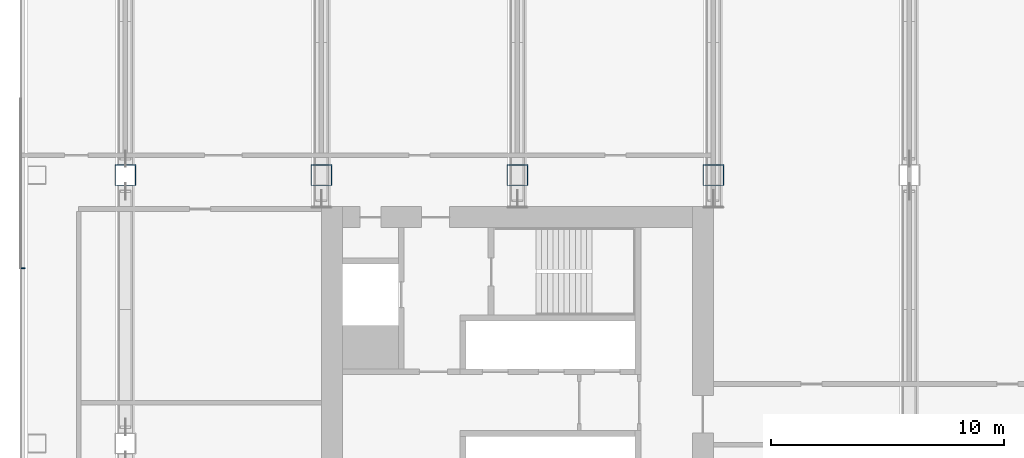
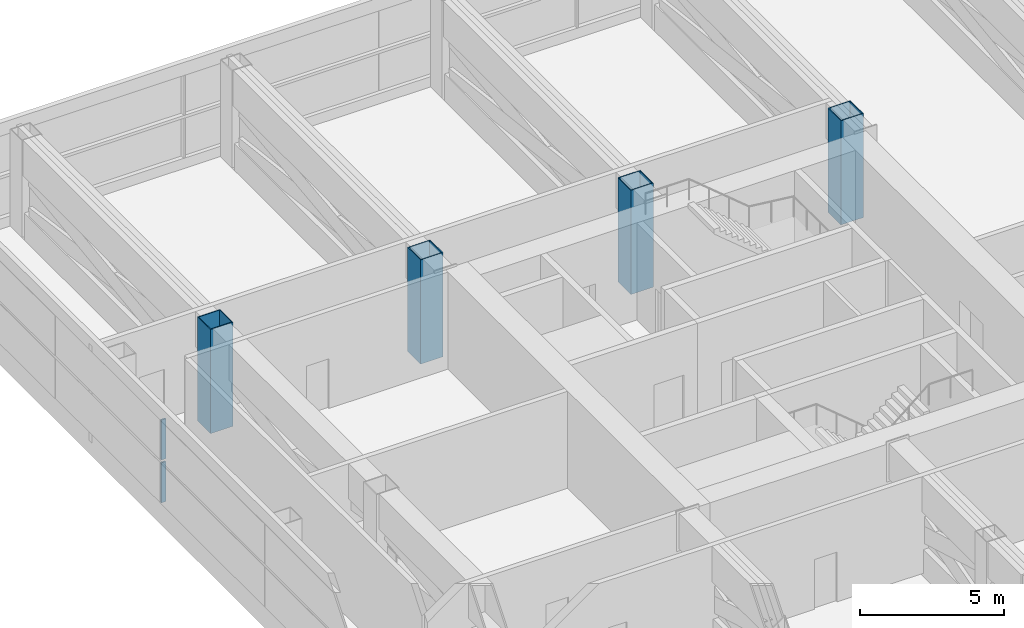
# One storey, part 4 of 31: 6 members, 1 element without a shape of its own.
"""IFC4 building model written with IfcOpenShell, lengths in metres."""

from ifc_helpers import new_model, si_unit, direction, frame, origin, origin_2d, place, context, subcontext, project, spatial, rectangle, hollow_rectangle, extrude, material, layer, layer_set, material_profile, profile_set, type_object, element, aggregate, save


model = new_model("IFC4")

# Units and contexts
model_context = context("Model", 3, precision=1e-05, world=origin(), true_north=direction((0.0, 1.0)))
body_context = subcontext(model_context, "Body", "Model", "MODEL_VIEW")
ifc_project = project(units=[si_unit("LENGTHUNIT", "METRE"), si_unit("AREAUNIT", "SQUARE_METRE"), si_unit("VOLUMEUNIT", "CUBIC_METRE"), si_unit("PLANEANGLEUNIT", "RADIAN"), si_unit("MASSUNIT", "GRAM", prefix="KILO")], contexts=[model_context])

# Site, building, storey
site_placement = place(None, origin())
site = spatial("IfcSite", under=ifc_project, at=site_placement, CompositionType="ELEMENT")
building_placement = place(site_placement, origin())
building = spatial("IfcBuilding", under=site, at=building_placement, Name="Hakoniwa Tower and Hamabe Station Hall", CompositionType="ELEMENT")
storey_placement = place(building_placement, frame((0.0, 0.0, 120.199951171875)))
storey = spatial("IfcBuildingStorey", under=building, at=storey_placement, Name="L34", CompositionType="ELEMENT", Elevation=120.199951171875)

# Curtain wall, members
ifc_material_1 = material(Name="Dark low-e laminated glass", Category="glass")
ifc_layer = layer(ifc_material_1, 0.199951171875)
ifc_layer_set = layer_set([ifc_layer], Name="CW-6 PLANT LOUVRE")
curtain_wall_type = type_object("IfcCurtainWallType", Name="CW-6 PLANT LOUVRE", PredefinedType="NOTDEFINED", material=ifc_layer_set)
curtain_wall_placement = place(storey_placement, origin())
curtain_wall = element("IfcCurtainWall", 1, at=curtain_wall_placement, inside=storey, type_object=curtain_wall_type, Name="CW-6 curtain wall", PredefinedType="NOTDEFINED")
ifc_material_2 = material(Name="Aluminium 6063-T5 black anodised", Category="aluminium")
ifc_material_profile_1 = material_profile(ifc_material_2, rectangle(XDim=0.06005859375, YDim=0.179931640625, at=origin_2d()), Name="CW-1 MULLION 60X180")
ifc_profile_set_1 = profile_set([ifc_material_profile_1], Name="Aluminium 6063-T5 black anodised")
member_type_1 = type_object("IfcMemberType", Name="CW-1 MULLION 60X180", PredefinedType="MULLION", material=ifc_profile_set_1)
member_1_placement = place(storey_placement, frame((-46.382080078125, 5.7578125, 0.35009765625), z_axis=(0.0, 0.0, 1.0), x_axis=(0.0, -1.0, 0.0)))
member_1 = element("IfcMember", 2, at=member_1_placement, type_object=member_type_1, Name="CW-6 mullion", PredefinedType="MULLION", context=body_context, shape_type="SweptSolid", body=[
    extrude(rectangle(XDim=0.06005859375, YDim=0.179931640625, at=origin_2d()), origin(), (0.0, 0.0, 1.0), 1.68994140625),
])
member_2_placement = place(storey_placement, frame((-46.382080078125, 5.7578125, 2.16015625), z_axis=(0.0, 0.0, 1.0), x_axis=(0.0, -1.0, 0.0)))
member_2 = element("IfcMember", 3, at=member_2_placement, type_object=member_type_1, Name="CW-6 mullion", PredefinedType="MULLION", context=body_context, shape_type="SweptSolid", body=[
    extrude(rectangle(XDim=0.06005859375, YDim=0.179931640625, at=origin_2d()), origin(), (0.0, 0.0, 1.0), 1.68994140625),
])
aggregate(curtain_wall, [member_1, member_2])

# Members
ifc_material_3 = material(Name="Steel SN490C", Category="steel")
ifc_material_profile_2 = material_profile(ifc_material_3, hollow_rectangle(XDim=0.89990234375, YDim=0.89990234375, WallThickness=0.035888671875, at=origin_2d()), Name="BX-900x900x36")
ifc_profile_set_2 = profile_set([ifc_material_profile_2], Name="Steel SN490C")
member_type_2 = type_object("IfcMemberType", Name="TRUSS POST BX-900x900x36", PredefinedType="POST", material=ifc_profile_set_2)
for number, where, z_axis, x_axis, name in (
    (4, (-42.0, 9.75, -0.300048828125), (0.0, 0.0, 1.0), (1.0, 0.0, 0.0), "Truss T2-03-P03"),
    (5, (-33.60009765625, 9.75, -0.300048828125), (0.0, 0.0, 1.0), (1.0, 0.0, 0.0), "Truss T2-06-P02"),
    (6, (-25.199951171875, 9.75, -0.300048828125), (0.0, 0.0, 1.0), (1.0, 0.0, 0.0), "Truss T2-08-P02"),
    (7, (-16.800048828125, 9.75, -0.300048828125), (0.0, 0.0, 1.0), (1.0, 0.0, 0.0), "Truss T2-10-P02"),
):
    element("IfcMember", number, at=place(storey_placement, frame(where, z_axis=z_axis, x_axis=x_axis)), inside=storey, type_object=member_type_2, Name=name, PredefinedType="POST", context=body_context, shape_type="SweptSolid", body=[
        extrude(hollow_rectangle(XDim=0.89990234375, YDim=0.89990234375, WallThickness=0.035888671875, at=origin_2d()), origin(), (0.0, 0.0, 1.0), 4.400146484375),
    ])

save(model, "model.ifc")
